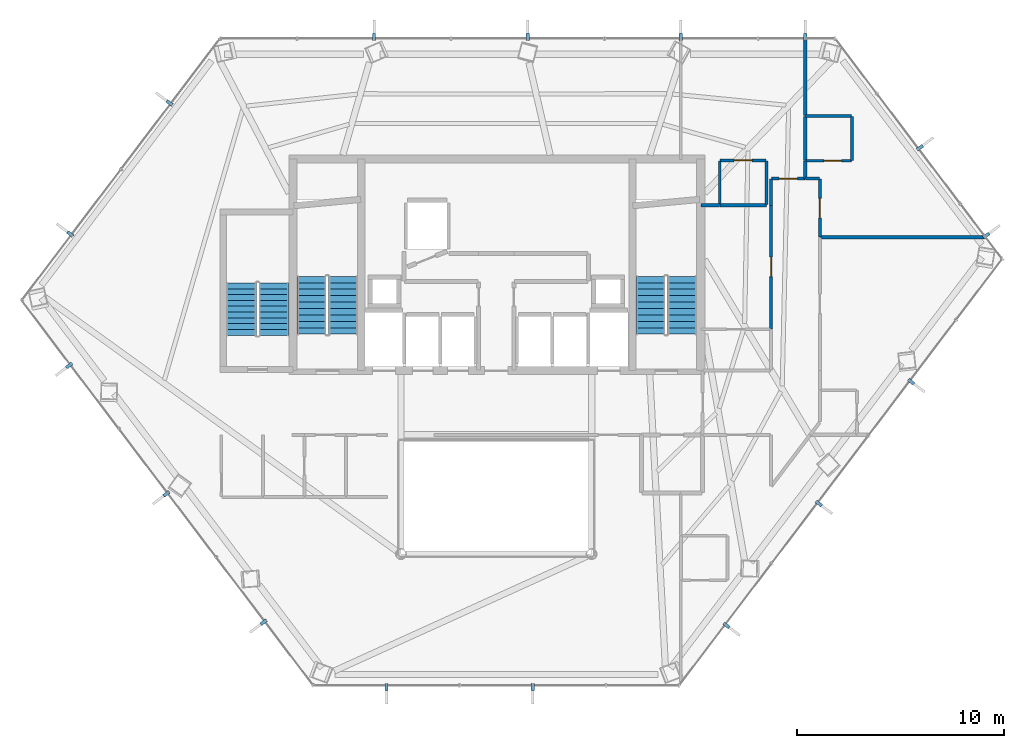
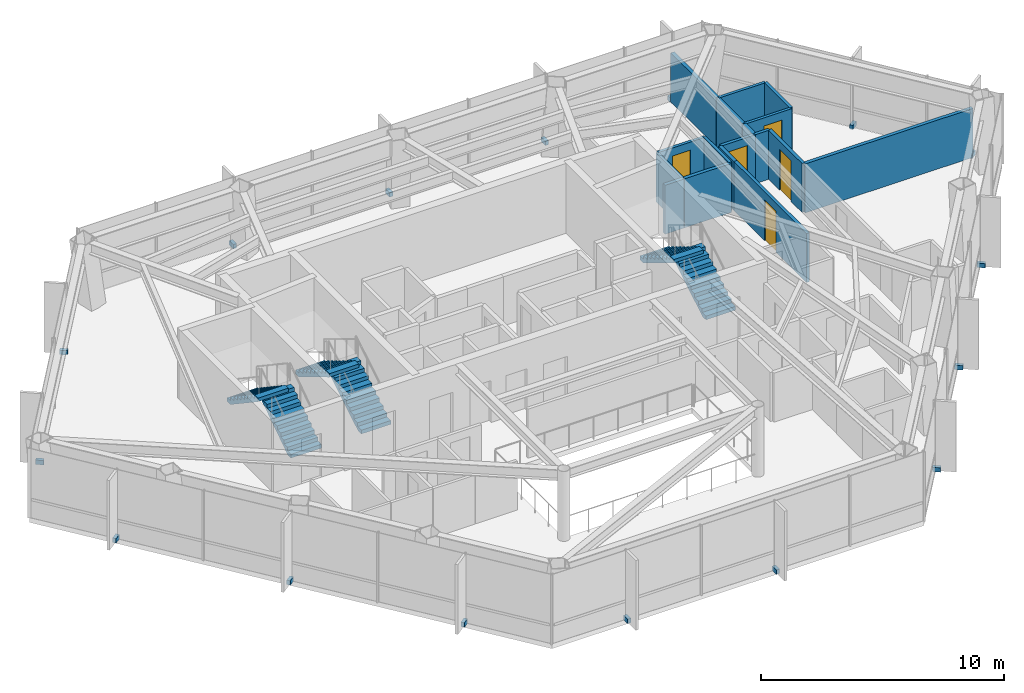
# One storey, part 29 of 30: 17 walls, 16 discrete accessories, 6 stair flights, 5 doors, 5 openings, 3 elements without a shape of their own.
"""IFC4 building model written with IfcOpenShell, lengths in metres."""

from ifc_helpers import new_model, si_unit, direction, frame, frame_2d, origin, origin_2d, place, context, subcontext, project, spatial, polyline, rectangle, outline, extrude, material, layer, layer_set, type_object, element, fill, aggregate, save


model = new_model("IFC4")

# Units and contexts
model_context = context("Model", 3, precision=1e-05, world=origin(), true_north=direction((0.0, 1.0)))
body_context = subcontext(model_context, "Body", "Model", "MODEL_VIEW")
ifc_project = project(units=[si_unit("LENGTHUNIT", "METRE"), si_unit("AREAUNIT", "SQUARE_METRE"), si_unit("VOLUMEUNIT", "CUBIC_METRE"), si_unit("PLANEANGLEUNIT", "RADIAN"), si_unit("MASSUNIT", "GRAM", prefix="KILO")], contexts=[model_context])

# Site, building, storey
site_placement = place(None, origin())
site = spatial("IfcSite", under=ifc_project, at=site_placement, CompositionType="ELEMENT")
building_placement = place(site_placement, origin())
building = spatial("IfcBuilding", under=site, at=building_placement, Name="Zarrinselat Tower", CompositionType="ELEMENT")
storey_placement = place(building_placement, frame((0.0, 0.0, 130.89990234375)))
storey = spatial("IfcBuildingStorey", under=building, at=storey_placement, Name="L31", CompositionType="ELEMENT", Elevation=130.89990234375)

# Walls
ifc_material_1 = material(Name="Fire-Rated Gypsum Board Partition", Category="gypsum")
ifc_layer_1 = layer(ifc_material_1, 0.1650390625)
ifc_layer_set_1 = layer_set([ifc_layer_1], Name="Fire-Rated Gypsum Board Partition")
wall_type_1 = type_object("IfcWallType", Name="WAL-PART-DEMISE", PredefinedType="PARTITIONING", material=ifc_layer_set_1)
wall_1_placement = place(storey_placement, frame((54.02001953125, 39.67822265625, 0.0), z_axis=(0.0, 0.0, 1.0), x_axis=(1.0, 0.0, 0.0)))
element("IfcWall", 1, at=wall_1_placement, inside=storey, type_object=wall_type_1, Name="L31 Partition Wall 53", PredefinedType="PARTITIONING", context=body_context, shape_type="SweptSolid", body=[
    extrude(rectangle(XDim=7.966552734375, YDim=0.1650390625, at=frame_2d((3.9833984375, 0.0))), origin(), (0.0, 0.0, 1.0), 2.45703125),
])
wall_2_placement = place(storey_placement, frame((53.300048828125, 42.52001953125, 0.0), z_axis=(0.0, 0.0, 1.0), x_axis=(0.0, 1.0, 0.0)))
element("IfcWall", 2, at=wall_2_placement, inside=storey, type_object=wall_type_1, Name="L31 Partition Wall 57", PredefinedType="PARTITIONING", context=body_context, shape_type="SweptSolid", body=[
    extrude(rectangle(XDim=0.827392578125, YDim=0.1650390625, at=frame_2d((0.41357421875, 0.0))), origin(), (0.0, 0.0, 1.0), 2.45703125),
])
wall_3_placement = place(storey_placement, frame((53.300048828125, 45.53759765625, 0.0), z_axis=(0.0, 0.0, 1.0), x_axis=(0.0, 1.0, 0.0)))
element("IfcWall", 3, at=wall_3_placement, inside=storey, type_object=wall_type_1, Name="L31 Partition Wall 58", PredefinedType="PARTITIONING", context=body_context, shape_type="SweptSolid", body=[
    extrude(rectangle(XDim=3.714111328125, YDim=0.1650390625, at=frame_2d((1.85693359375, 0.0))), origin(), (0.0, 0.0, 1.0), 2.45703125),
])
wall_4_placement = place(storey_placement, frame((53.300048828125, 43.387451171875, 0.0), z_axis=(0.0, 0.0, 1.0), x_axis=(0.0, 1.0, 0.0)))
element("IfcWall", 4, at=wall_4_placement, inside=storey, type_object=wall_type_1, Name="L31 Partition Wall 59", PredefinedType="PARTITIONING", context=body_context, shape_type="SweptSolid", body=[
    extrude(rectangle(XDim=2.110107421875, YDim=0.1650390625, at=frame_2d((1.05517578125, 0.0))), origin(), (0.0, 0.0, 1.0), 2.45703125),
])
wall_5_placement = place(storey_placement, frame((48.27490234375, 41.228271484375, 0.0), z_axis=(0.0, 0.0, 1.0), x_axis=(1.0, 0.0, 0.0)))
element("IfcWall", 5, at=wall_5_placement, inside=storey, type_object=wall_type_1, Name="L31 Partition Wall 61", PredefinedType="PARTITIONING", context=body_context, shape_type="SweptSolid", body=[
    extrude(rectangle(XDim=0.89501953125, YDim=0.1650390625, at=frame_2d((0.447509765625, 0.0))), origin(), (0.0, 0.0, 1.0), 2.45703125),
])
wall_6_placement = place(storey_placement, frame((49.179931640625, 41.228271484375, 0.0), z_axis=(0.0, 0.0, 1.0), x_axis=(1.0, 0.0, 0.0)))
element("IfcWall", 6, at=wall_6_placement, inside=storey, type_object=wall_type_1, Name="L31 Partition Wall 62", PredefinedType="PARTITIONING", context=body_context, shape_type="SweptSolid", body=[
    extrude(rectangle(XDim=2.239990234375, YDim=0.1650390625, at=frame_2d((1.1201171875, 0.0))), origin(), (0.0, 0.0, 1.0), 2.45703125),
])
ifc_material_2 = material(Name="Fire-Rated Gypsum Board Partition", Category="gypsum")
ifc_layer_2 = layer(ifc_material_2, 0.14990234375)
ifc_layer_set_2 = layer_set([ifc_layer_2], Name="Fire-Rated Gypsum Board Partition")
wall_type_2 = type_object("IfcWallType", Name="WAL-PART-EI60", PredefinedType="PARTITIONING", material=ifc_layer_set_2)
wall_7_placement = place(storey_placement, frame((53.304931640625, 42.5, 0.0), z_axis=(0.0, 0.0, 1.0), x_axis=(1.0, 0.0, 0.0)))
element("IfcWall", 7, at=wall_7_placement, inside=storey, type_object=wall_type_2, Name="L31 Partition Wall 27", PredefinedType="PARTITIONING", context=body_context, shape_type="SweptSolid", body=[
    extrude(rectangle(XDim=0.675048828125, YDim=0.14990234375, at=frame_2d((0.33740234375, 0.0))), origin(), (0.0, 0.0, 1.0), 2.45703125),
])

# Wall, opening, door
wall_8_placement = place(storey_placement, frame((54.0, 39.683349609375, 0.0), z_axis=(0.0, 0.0, 1.0), x_axis=(0.0, 1.0, 0.0)))
wall_8 = element("IfcWall", 8, at=wall_8_placement, inside=storey, type_object=wall_type_2, Name="L31 Partition Wall 28", PredefinedType="PARTITIONING", context=body_context, shape_type="SweptSolid", body=[
    extrude(rectangle(XDim=2.796630859375, YDim=0.14990234375, at=frame_2d((1.3984375, 0.0))), origin(), (0.0, 0.0, 1.0), 2.45703125),
])
opening_1_placement = place(wall_8_placement, frame((0.92822265625, 0.0, 0.0)))
opening_1 = element("IfcOpeningElement", 9, at=opening_1_placement, cuts=wall_8, Name="Opening ID-04", PredefinedType="OPENING", context=body_context, shape_type="SweptSolid", body=[
    extrude(rectangle(XDim=0.93994140625, YDim=2.050048828125, at=frame_2d((0.469970703125, 1.02490234375))), frame((0.0, 0.0849609375, 0.0), z_axis=(0.0, -1.0, 0.0), x_axis=(1.0, 0.0, 0.0)), (0.0, 0.0, 1.0), 0.169921875),
])
ifc_material_3 = material(Name="Fire-Rated Gypsum Board Partition")
door_type_1 = type_object("IfcDoorType", Name="DR-INT-FD30-ENT", OperationType="NOTDEFINED", PredefinedType="DOOR", material=ifc_material_3)
door_1_placement = place(opening_1_placement, origin())
door_1 = element("IfcDoor", 10, at=door_1_placement, inside=storey, type_object=door_type_1, Name="L31 Interior Door P28", OperationType="SINGLE_SWING_LEFT", OverallHeight=2.050048828125, OverallWidth=0.93994140625, PredefinedType="DOOR", context=body_context, shape_type="SweptSolid", body=[
    extrude(rectangle(XDim=0.93994140625, YDim=2.050048828125, at=frame_2d((0.469970703125, 1.02490234375))), frame((0.0, 0.02490234375, 0.0), z_axis=(0.0, -1.0, 0.0), x_axis=(1.0, 0.0, 0.0)), (0.0, 0.0, 1.0), 0.050048828125),
])
fill(opening_1, door_1)

wall_9_placement = place(storey_placement, frame((51.64990234375, 35.24951171875, 0.0), z_axis=(0.0, 0.0, 1.0), x_axis=(0.0, 1.0, 0.0)))
wall_9 = element("IfcWall", 11, at=wall_9_placement, inside=storey, type_object=wall_type_2, Name="L31 Partition Wall 29", PredefinedType="PARTITIONING", context=body_context, shape_type="SweptSolid", body=[
    extrude(rectangle(XDim=5.993896484375, YDim=0.14990234375, at=frame_2d((2.9970703125, 0.0))), origin(), (0.0, 0.0, 1.0), 2.45703125),
])
opening_2_placement = place(wall_9_placement, frame((2.52685546875, 0.0, 0.0)))
opening_2 = element("IfcOpeningElement", 12, at=opening_2_placement, cuts=wall_9, Name="Opening ID-04", PredefinedType="OPENING", context=body_context, shape_type="SweptSolid", body=[
    extrude(rectangle(XDim=0.93994140625, YDim=2.050048828125, at=frame_2d((0.469970703125, 1.02490234375))), frame((0.0, 0.0849609375, 0.0), z_axis=(0.0, -1.0, 0.0), x_axis=(1.0, 0.0, 0.0)), (0.0, 0.0, 1.0), 0.169921875),
])
door_2_placement = place(opening_2_placement, origin())
door_2 = element("IfcDoor", 13, at=door_2_placement, inside=storey, type_object=door_type_1, Name="L31 Interior Door P29", OperationType="SINGLE_SWING_RIGHT", OverallHeight=2.050048828125, OverallWidth=0.93994140625, PredefinedType="DOOR", context=body_context, shape_type="SweptSolid", body=[
    extrude(rectangle(XDim=0.93994140625, YDim=2.050048828125, at=frame_2d((0.469970703125, 1.02490234375))), frame((0.0, 0.02490234375, 0.0), z_axis=(0.0, -1.0, 0.0), x_axis=(1.0, 0.0, 0.0)), (0.0, 0.0, 1.0), 0.050048828125),
])
fill(opening_2, door_2)

# Wall
wall_10_placement = place(storey_placement, frame((51.64990234375, 41.21337890625, 0.0), z_axis=(0.0, 0.0, 1.0), x_axis=(0.0, 1.0, 0.0)))
element("IfcWall", 14, at=wall_10_placement, inside=storey, type_object=wall_type_2, Name="L31 Partition Wall 32", PredefinedType="PARTITIONING", context=body_context, shape_type="SweptSolid", body=[
    extrude(rectangle(XDim=1.2666015625, YDim=0.14990234375, at=frame_2d((0.63330078125, 0.0))), origin(), (0.0, 0.0, 1.0), 2.45703125),
])

# Wall, opening, door
wall_11_placement = place(storey_placement, frame((51.669921875, 42.5, 0.0), z_axis=(0.0, 0.0, 1.0), x_axis=(1.0, 0.0, 0.0)))
wall_11 = element("IfcWall", 15, at=wall_11_placement, inside=storey, type_object=wall_type_2, Name="L31 Partition Wall 33", PredefinedType="PARTITIONING", context=body_context, shape_type="SweptSolid", body=[
    extrude(rectangle(XDim=1.625, YDim=0.14990234375, at=frame_2d((0.8125, 0.0))), origin(), (0.0, 0.0, 1.0), 2.45703125),
])
opening_3_placement = place(wall_11_placement, frame((0.37255859375, 0.0, 0.0)))
opening_3 = element("IfcOpeningElement", 16, at=opening_3_placement, cuts=wall_11, Name="Opening ID-03", PredefinedType="OPENING", context=body_context, shape_type="SweptSolid", body=[
    extrude(rectangle(XDim=0.8798828125, YDim=2.050048828125, at=frame_2d((0.43994140625, 1.02490234375))), frame((0.0, 0.0849609375, 0.0), z_axis=(0.0, -1.0, 0.0), x_axis=(1.0, 0.0, 0.0)), (0.0, 0.0, 1.0), 0.169921875),
])
ifc_material_4 = material(Name="Steel S355J2", Category="steel")
door_type_2 = type_object("IfcDoorType", Name="DR-INT-FD60-S", OperationType="NOTDEFINED", PredefinedType="DOOR", material=ifc_material_4)
door_3_placement = place(opening_3_placement, origin())
door_3 = element("IfcDoor", 17, at=door_3_placement, inside=storey, type_object=door_type_2, Name="L31 Interior Door P33", OperationType="SINGLE_SWING_LEFT", OverallHeight=2.050048828125, OverallWidth=0.8798828125, PredefinedType="DOOR", context=body_context, shape_type="SweptSolid", body=[
    extrude(rectangle(XDim=0.8798828125, YDim=2.050048828125, at=frame_2d((0.43994140625, 1.02490234375))), frame((0.0, 0.02490234375, 0.0), z_axis=(0.0, -1.0, 0.0), x_axis=(1.0, 0.0, 0.0)), (0.0, 0.0, 1.0), 0.050048828125),
])
fill(opening_3, door_3)

ifc_material_5 = material(Name="Fire-Rated Gypsum Board Partition", Category="gypsum")
ifc_layer_3 = layer(ifc_material_5, 0.135009765625)
ifc_layer_set_3 = layer_set([ifc_layer_3], Name="Fire-Rated Gypsum Board Partition")
wall_type_3 = type_object("IfcWallType", Name="WAL-PART-WET", PredefinedType="PARTITIONING", material=ifc_layer_set_3)
wall_12_placement = place(storey_placement, frame((53.320068359375, 43.367431640625, 0.0), z_axis=(0.0, 0.0, 1.0), x_axis=(1.0, 0.0, 0.0)))
wall_12 = element("IfcWall", 18, at=wall_12_placement, inside=storey, type_object=wall_type_3, Name="L31 Partition Wall 54", PredefinedType="PARTITIONING", context=body_context, shape_type="SweptSolid", body=[
    extrude(rectangle(XDim=2.2099609375, YDim=0.135009765625, at=frame_2d((1.10498046875, 0.0))), origin(), (0.0, 0.0, 1.0), 2.45703125),
])
opening_4_placement = place(wall_12_placement, frame((0.875, 0.0, 0.0)))
opening_4 = element("IfcOpeningElement", 19, at=opening_4_placement, cuts=wall_12, Name="Opening ID-06", PredefinedType="OPENING", context=body_context, shape_type="SweptSolid", body=[
    extrude(rectangle(XDim=0.860107421875, YDim=2.050048828125, at=frame_2d((0.43017578125, 1.02490234375))), frame((0.0, 0.077392578125, 0.0), z_axis=(0.0, -1.0, 0.0), x_axis=(1.0, 0.0, 0.0)), (0.0, 0.0, 1.0), 0.155029296875),
])
ifc_material_6 = material(Name="Extruded Aluminium Alloy EN AW-6063 T6", Category="aluminium")
door_type_3 = type_object("IfcDoorType", Name="DR-INT-WET-900", OperationType="NOTDEFINED", PredefinedType="DOOR", material=ifc_material_6)
door_4_placement = place(opening_4_placement, origin())
door_4 = element("IfcDoor", 20, at=door_4_placement, inside=storey, type_object=door_type_3, Name="L31 Interior Door P54", OperationType="SINGLE_SWING_RIGHT", OverallHeight=2.050048828125, OverallWidth=0.860107421875, PredefinedType="DOOR", context=body_context, shape_type="SweptSolid", body=[
    extrude(rectangle(XDim=0.860107421875, YDim=2.050048828125, at=frame_2d((0.43017578125, 1.02490234375))), frame((0.0, 0.02490234375, 0.0), z_axis=(0.0, -1.0, 0.0), x_axis=(1.0, 0.0, 0.0)), (0.0, 0.0, 1.0), 0.050048828125),
])
fill(opening_4, door_4)

# Walls
wall_13_placement = place(storey_placement, frame((55.550048828125, 43.387451171875, 0.0), z_axis=(0.0, 0.0, 1.0), x_axis=(0.0, 1.0, 0.0)))
element("IfcWall", 21, at=wall_13_placement, inside=storey, type_object=wall_type_3, Name="L31 Partition Wall 55", PredefinedType="PARTITIONING", context=body_context, shape_type="SweptSolid", body=[
    extrude(rectangle(XDim=2.110107421875, YDim=0.135009765625, at=frame_2d((1.05517578125, 0.0))), origin(), (0.0, 0.0, 1.0), 2.45703125),
])
wall_14_placement = place(storey_placement, frame((53.320068359375, 45.517578125, 0.0), z_axis=(0.0, 0.0, 1.0), x_axis=(1.0, 0.0, 0.0)))
element("IfcWall", 22, at=wall_14_placement, inside=storey, type_object=wall_type_3, Name="L31 Partition Wall 56", PredefinedType="PARTITIONING", context=body_context, shape_type="SweptSolid", body=[
    extrude(rectangle(XDim=2.2099609375, YDim=0.135009765625, at=frame_2d((1.10498046875, 0.0))), origin(), (0.0, 0.0, 1.0), 2.45703125),
])
wall_15_placement = place(storey_placement, frame((51.425048828125, 41.248291015625, 0.0), z_axis=(0.0, 0.0, 1.0), x_axis=(0.0, 1.0, 0.0)))
element("IfcWall", 23, at=wall_15_placement, inside=storey, type_object=wall_type_3, Name="L31 Partition Wall 63", PredefinedType="PARTITIONING", context=body_context, shape_type="SweptSolid", body=[
    extrude(rectangle(XDim=2.110107421875, YDim=0.135009765625, at=frame_2d((1.05517578125, 0.0))), origin(), (0.0, 0.0, 1.0), 2.45703125),
])

# Wall, opening, door
wall_16_placement = place(storey_placement, frame((49.195068359375, 43.37841796875, 0.0), z_axis=(0.0, 0.0, 1.0), x_axis=(1.0, 0.0, 0.0)))
wall_16 = element("IfcWall", 24, at=wall_16_placement, inside=storey, type_object=wall_type_3, Name="L31 Partition Wall 64", PredefinedType="PARTITIONING", context=body_context, shape_type="SweptSolid", body=[
    extrude(rectangle(XDim=2.2099609375, YDim=0.135009765625, at=frame_2d((1.10498046875, 0.0))), origin(), (0.0, 0.0, 1.0), 2.45703125),
])
opening_5_placement = place(wall_16_placement, frame((0.675048828125, 0.0, 0.0)))
opening_5 = element("IfcOpeningElement", 25, at=opening_5_placement, cuts=wall_16, Name="Opening ID-06", PredefinedType="OPENING", context=body_context, shape_type="SweptSolid", body=[
    extrude(rectangle(XDim=0.860107421875, YDim=2.050048828125, at=frame_2d((0.43017578125, 1.02490234375))), frame((0.0, 0.077392578125, 0.0), z_axis=(0.0, -1.0, 0.0), x_axis=(1.0, 0.0, 0.0)), (0.0, 0.0, 1.0), 0.155029296875),
])
door_5_placement = place(opening_5_placement, origin())
door_5 = element("IfcDoor", 26, at=door_5_placement, inside=storey, type_object=door_type_3, Name="L31 Interior Door P64", OperationType="SINGLE_SWING_RIGHT", OverallHeight=2.050048828125, OverallWidth=0.860107421875, PredefinedType="DOOR", context=body_context, shape_type="SweptSolid", body=[
    extrude(rectangle(XDim=0.860107421875, YDim=2.050048828125, at=frame_2d((0.43017578125, 1.02490234375))), frame((0.0, 0.02490234375, 0.0), z_axis=(0.0, -1.0, 0.0), x_axis=(1.0, 0.0, 0.0)), (0.0, 0.0, 1.0), 0.050048828125),
])
fill(opening_5, door_5)

# Wall
wall_17_placement = place(storey_placement, frame((49.175048828125, 41.248291015625, 0.0), z_axis=(0.0, 0.0, 1.0), x_axis=(0.0, 1.0, 0.0)))
element("IfcWall", 27, at=wall_17_placement, inside=storey, type_object=wall_type_3, Name="L31 Partition Wall 65", PredefinedType="PARTITIONING", context=body_context, shape_type="SweptSolid", body=[
    extrude(rectangle(XDim=2.110107421875, YDim=0.135009765625, at=frame_2d((1.05517578125, 0.0))), origin(), (0.0, 0.0, 1.0), 2.45703125),
])

# Stair, stair flights
ifc_material_7 = material(Name="Concrete C40/50", Category="concrete")
stair_type_1 = type_object("IfcStairType", Name="STR-CORE-145", PredefinedType="HALF_TURN_STAIR", material=ifc_material_7)
stair_1_placement = place(storey_placement, origin())
stair_1 = element("IfcStair", 28, at=stair_1_placement, inside=storey, type_object=stair_type_1, Name="L31 Podium & Mid-Tower Exit Stair 3", PredefinedType="HALF_TURN_STAIR")
ifc_material_8 = material(Name="Concrete C40/50", Category="concrete")
stair_flight_type_1 = type_object("IfcStairFlightType", Name="STR-FLT-145", PredefinedType="STRAIGHT", material=ifc_material_8)
stair_flight_1_placement = place(storey_placement, frame((27.675048828125, 34.949951171875, 0.0), z_axis=(0.0, 0.0, 1.0), x_axis=(0.0, 1.0, 0.0)))
stair_flight_1 = element("IfcStairFlight", 29, at=stair_flight_1_placement, type_object=stair_flight_type_1, Name="ST-3 flight 1", NumberOfRisers=10, NumberOfTreads=9, PredefinedType="STRAIGHT", RiserHeight=0.187, TreadLength=0.28, context=body_context, shape_type="SweptSolid", body=[
    extrude(outline(polyline([(0.0, 0.0), (0.0, 0.18701171875), (0.280029296875, 0.18701171875), (0.280029296875, 0.3740234375), (0.56005859375, 0.3740234375), (0.56005859375, 0.56103515625), (0.840087890625, 0.56103515625), (0.840087890625, 0.748046875), (1.1201171875, 0.748046875), (1.1201171875, 0.93505859375), (1.39990234375, 0.93505859375), (1.39990234375, 1.1220703125), (1.679931640625, 1.1220703125), (1.679931640625, 1.30908203125), (1.9599609375, 1.30908203125), (1.9599609375, 1.49609375), (2.239990234375, 1.49609375), (2.239990234375, 1.68310546875), (2.52001953125, 1.68310546875), (2.52001953125, 1.8701171875), (2.52001953125, 1.502685546875), (0.27001953125, 0.0), (0.0, 0.0)])), frame((0.0, 0.72509765625, 0.0), z_axis=(0.0, -1.0, 0.0), x_axis=(1.0, 0.0, 0.0)), (0.0, 0.0, 1.0), 1.449951171875),
])
stair_flight_2_placement = place(storey_placement, frame((26.10498046875, 37.469970703125, 1.8701171875), z_axis=(0.0, 0.0, 1.0), x_axis=(0.0, -1.0, 0.0)))
stair_flight_2 = element("IfcStairFlight", 30, at=stair_flight_2_placement, type_object=stair_flight_type_1, Name="ST-3 flight 2", NumberOfRisers=10, NumberOfTreads=9, PredefinedType="STRAIGHT", RiserHeight=0.187, TreadLength=0.28, context=body_context, shape_type="SweptSolid", body=[
    extrude(outline(polyline([(0.0, 0.0), (0.0, 0.18701171875), (0.280029296875, 0.18701171875), (0.280029296875, 0.3740234375), (0.56005859375, 0.3740234375), (0.56005859375, 0.56103515625), (0.840087890625, 0.56103515625), (0.840087890625, 0.748046875), (1.1201171875, 0.748046875), (1.1201171875, 0.93505859375), (1.39990234375, 0.93505859375), (1.39990234375, 1.1220703125), (1.679931640625, 1.1220703125), (1.679931640625, 1.30908203125), (1.9599609375, 1.30908203125), (1.9599609375, 1.49609375), (2.239990234375, 1.49609375), (2.239990234375, 1.68310546875), (2.52001953125, 1.68310546875), (2.52001953125, 1.8701171875), (2.52001953125, 1.502685546875), (0.27001953125, 0.0), (0.0, 0.0)])), frame((0.0, 0.72509765625, 0.0), z_axis=(0.0, -1.0, 0.0), x_axis=(1.0, 0.0, 0.0)), (0.0, 0.0, 1.0), 1.449951171875),
])
aggregate(stair_1, [stair_flight_1, stair_flight_2])

ifc_material_9 = material(Name="Concrete C40/50", Category="concrete")
stair_type_2 = type_object("IfcStairType", Name="STR-CORE-155", PredefinedType="HALF_TURN_STAIR", material=ifc_material_9)
stair_2_placement = place(storey_placement, origin())
stair_2 = element("IfcStair", 31, at=stair_2_placement, inside=storey, type_object=stair_type_2, Name="L31 Core Exit Stair 1", PredefinedType="HALF_TURN_STAIR")
ifc_material_10 = material(Name="Concrete C40/50", Category="concrete")
stair_flight_type_2 = type_object("IfcStairFlightType", Name="STR-FLT-155", PredefinedType="STRAIGHT", material=ifc_material_10)
stair_flight_3_placement = place(storey_placement, frame((31.02001953125, 35.0, 0.0), z_axis=(0.0, 0.0, 1.0), x_axis=(0.0, 1.0, 0.0)))
stair_flight_3 = element("IfcStairFlight", 32, at=stair_flight_3_placement, type_object=stair_flight_type_2, Name="ST-1 flight 1", NumberOfRisers=10, NumberOfTreads=9, PredefinedType="STRAIGHT", RiserHeight=0.187, TreadLength=0.31, context=body_context, shape_type="SweptSolid", body=[
    extrude(outline(polyline([(0.0, 0.0), (0.0, 0.18701171875), (0.31005859375, 0.18701171875), (0.31005859375, 0.3740234375), (0.6201171875, 0.3740234375), (0.6201171875, 0.56103515625), (0.929931640625, 0.56103515625), (0.929931640625, 0.748046875), (1.239990234375, 0.748046875), (1.239990234375, 0.93505859375), (1.550048828125, 0.93505859375), (1.550048828125, 1.1220703125), (1.860107421875, 1.1220703125), (1.860107421875, 1.30908203125), (2.169921875, 1.30908203125), (2.169921875, 1.49609375), (2.47998046875, 1.49609375), (2.47998046875, 1.68310546875), (2.7900390625, 1.68310546875), (2.7900390625, 1.8701171875), (2.7900390625, 1.508056640625), (0.290283203125, 0.0), (0.0, 0.0)])), frame((0.0, 0.699951171875, 0.0), z_axis=(0.0, -1.0, 0.0), x_axis=(1.0, 0.0, 0.0)), (0.0, 0.0, 1.0), 1.39990234375),
])
stair_flight_4_placement = place(storey_placement, frame((29.5, 37.7900390625, 1.8701171875), z_axis=(0.0, 0.0, 1.0), x_axis=(0.0, -1.0, 0.0)))
stair_flight_4 = element("IfcStairFlight", 33, at=stair_flight_4_placement, type_object=stair_flight_type_2, Name="ST-1 flight 2", NumberOfRisers=10, NumberOfTreads=9, PredefinedType="STRAIGHT", RiserHeight=0.187, TreadLength=0.31, context=body_context, shape_type="SweptSolid", body=[
    extrude(outline(polyline([(0.0, 0.0), (0.0, 0.18701171875), (0.31005859375, 0.18701171875), (0.31005859375, 0.3740234375), (0.6201171875, 0.3740234375), (0.6201171875, 0.56103515625), (0.929931640625, 0.56103515625), (0.929931640625, 0.748046875), (1.239990234375, 0.748046875), (1.239990234375, 0.93505859375), (1.550048828125, 0.93505859375), (1.550048828125, 1.1220703125), (1.860107421875, 1.1220703125), (1.860107421875, 1.30908203125), (2.169921875, 1.30908203125), (2.169921875, 1.49609375), (2.47998046875, 1.49609375), (2.47998046875, 1.68310546875), (2.7900390625, 1.68310546875), (2.7900390625, 1.8701171875), (2.7900390625, 1.508056640625), (0.290283203125, 0.0), (0.0, 0.0)])), frame((0.0, 0.699951171875, 0.0), z_axis=(0.0, -1.0, 0.0), x_axis=(1.0, 0.0, 0.0)), (0.0, 0.0, 1.0), 1.39990234375),
])
aggregate(stair_2, [stair_flight_3, stair_flight_4])

stair_3_placement = place(storey_placement, origin())
stair_3 = element("IfcStair", 34, at=stair_3_placement, inside=storey, type_object=stair_type_2, Name="L31 Core Exit Stair 2", PredefinedType="HALF_TURN_STAIR")
stair_flight_5_placement = place(storey_placement, frame((47.360107421875, 35.0, 0.0), z_axis=(0.0, 0.0, 1.0), x_axis=(0.0, 1.0, 0.0)))
stair_flight_5 = element("IfcStairFlight", 35, at=stair_flight_5_placement, type_object=stair_flight_type_2, Name="ST-2 flight 1", NumberOfRisers=10, NumberOfTreads=9, PredefinedType="STRAIGHT", RiserHeight=0.187, TreadLength=0.31, context=body_context, shape_type="SweptSolid", body=[
    extrude(outline(polyline([(0.0, 0.0), (0.0, 0.18701171875), (0.31005859375, 0.18701171875), (0.31005859375, 0.3740234375), (0.6201171875, 0.3740234375), (0.6201171875, 0.56103515625), (0.929931640625, 0.56103515625), (0.929931640625, 0.748046875), (1.239990234375, 0.748046875), (1.239990234375, 0.93505859375), (1.550048828125, 0.93505859375), (1.550048828125, 1.1220703125), (1.860107421875, 1.1220703125), (1.860107421875, 1.30908203125), (2.169921875, 1.30908203125), (2.169921875, 1.49609375), (2.47998046875, 1.49609375), (2.47998046875, 1.68310546875), (2.7900390625, 1.68310546875), (2.7900390625, 1.8701171875), (2.7900390625, 1.508056640625), (0.290283203125, 0.0), (0.0, 0.0)])), frame((0.0, 0.699951171875, 0.0), z_axis=(0.0, -1.0, 0.0), x_axis=(1.0, 0.0, 0.0)), (0.0, 0.0, 1.0), 1.39990234375),
])
stair_flight_6_placement = place(storey_placement, frame((45.840087890625, 37.7900390625, 1.8701171875), z_axis=(0.0, 0.0, 1.0), x_axis=(0.0, -1.0, 0.0)))
stair_flight_6 = element("IfcStairFlight", 36, at=stair_flight_6_placement, type_object=stair_flight_type_2, Name="ST-2 flight 2", NumberOfRisers=10, NumberOfTreads=9, PredefinedType="STRAIGHT", RiserHeight=0.187, TreadLength=0.31, context=body_context, shape_type="SweptSolid", body=[
    extrude(outline(polyline([(0.0, 0.0), (0.0, 0.18701171875), (0.31005859375, 0.18701171875), (0.31005859375, 0.3740234375), (0.6201171875, 0.3740234375), (0.6201171875, 0.56103515625), (0.929931640625, 0.56103515625), (0.929931640625, 0.748046875), (1.239990234375, 0.748046875), (1.239990234375, 0.93505859375), (1.550048828125, 0.93505859375), (1.550048828125, 1.1220703125), (1.860107421875, 1.1220703125), (1.860107421875, 1.30908203125), (2.169921875, 1.30908203125), (2.169921875, 1.49609375), (2.47998046875, 1.49609375), (2.47998046875, 1.68310546875), (2.7900390625, 1.68310546875), (2.7900390625, 1.8701171875), (2.7900390625, 1.508056640625), (0.290283203125, 0.0), (0.0, 0.0)])), frame((0.0, 0.699951171875, 0.0), z_axis=(0.0, -1.0, 0.0), x_axis=(1.0, 0.0, 0.0)), (0.0, 0.0, 1.0), 1.39990234375),
])
aggregate(stair_3, [stair_flight_5, stair_flight_6])

# Discrete accessories
ifc_material_11 = material(Name="Steel S355J2", Category="steel")
discrete_accessory_type = type_object("IfcDiscreteAccessoryType", Name="ACC-FIN-BRACKET", PredefinedType="BRACKET", material=ifc_material_11)
for number, where, z_axis, x_axis, name in (
    (37, (53.300048828125, 49.336669921875, -0.0498046875), (0.0, 0.0, 1.0), (0.0, 1.0, 0.0), "L31 Fin Fixing Bracket CW-L31-E01-01"),
    (38, (47.300048828125, 49.336669921875, -0.0498046875), (0.0, 0.0, 1.0), (0.0, 1.0, 0.0), "L31 Fin Fixing Bracket CW-L31-E01-03"),
    (39, (39.91552734375, 49.336669921875, -0.0498046875), (0.0, 0.0, 1.0), (0.0, 1.0, 0.0), "L31 Fin Fixing Bracket CW-L31-E01-05"),
    (40, (32.504638671875, 49.336669921875, -0.0498046875), (0.0, 0.0, 1.0), (0.0, 1.0, 0.0), "L31 Fin Fixing Bracket CW-L31-E01-07"),
    (41, (22.644287109375, 46.149658203125, -0.0498046875), (0.0, 0.0, 1.0), (-0.797091872172, 0.603858052292, 0.0), "L31 Fin Fixing Bracket CW-L31-E02-01"),
    (42, (17.857177734375, 39.830810546875, -0.0498046875), (0.0, 0.0, 1.0), (-0.797091872172, 0.603858052292, 0.0), "L31 Fin Fixing Bracket CW-L31-E02-03"),
    (43, (17.8076171875, 33.492919921875, -0.0498046875), (0.0, 0.0, 1.0), (-0.797091647094, -0.603858349394, 0.0), "L31 Fin Fixing Bracket CW-L31-E03-01"),
    (44, (22.4951171875, 27.305419921875, -0.0498046875), (0.0, 0.0, 1.0), (-0.797091647094, -0.603858349394, 0.0), "L31 Fin Fixing Bracket CW-L31-E03-03"),
    (45, (27.1826171875, 21.117919921875, -0.0498046875), (0.0, 0.0, 1.0), (-0.797091647094, -0.603858349394, 0.0), "L31 Fin Fixing Bracket CW-L31-E03-05"),
    (46, (33.109375, 17.996337890625, -0.0498046875), (0.0, 0.0, 1.0), (0.0, -1.0, 0.0), "L31 Fin Fixing Bracket CW-L31-E04-01"),
    (47, (40.16357421875, 17.996337890625, -0.0498046875), (0.0, 0.0, 1.0), (0.0, -1.0, 0.0), "L31 Fin Fixing Bracket CW-L31-E04-03"),
    (48, (49.499267578125, 20.961669921875, -0.0498046875), (0.0, 0.0, 1.0), (0.797091808926, -0.603858135777, 0.0), "L31 Fin Fixing Bracket CW-L31-E05-01"),
    (49, (53.9501953125, 26.8369140625, -0.0498046875), (0.0, 0.0, 1.0), (0.797091808926, -0.603858135777, 0.0), "L31 Fin Fixing Bracket CW-L31-E05-03"),
    (50, (58.40087890625, 32.7119140625, -0.0498046875), (0.0, 0.0, 1.0), (0.797091808926, -0.603858135777, 0.0), "L31 Fin Fixing Bracket CW-L31-E05-05"),
    (51, (62.02978515625, 39.7568359375, -0.0498046875), (0.0, 0.0, 1.0), (0.79709160167, 0.603858409354, 0.0), "L31 Fin Fixing Bracket CW-L31-E06-01"),
    (52, (58.82275390625, 43.990478515625, -0.0498046875), (0.0, 0.0, 1.0), (0.79709160167, 0.603858409354, 0.0), "L31 Fin Fixing Bracket CW-L31-E06-03"),
):
    element("IfcDiscreteAccessory", number, at=place(storey_placement, frame(where, z_axis=z_axis, x_axis=x_axis)), inside=storey, type_object=discrete_accessory_type, Name=name, PredefinedType="BRACKET", context=body_context, shape_type="SweptSolid", body=[
        extrude(rectangle(XDim=0.340087890625, YDim=0.159912109375, at=origin_2d()), origin(), (0.0, 0.0, 1.0), 0.219970703125),
    ])

save(model, "model.ifc")
